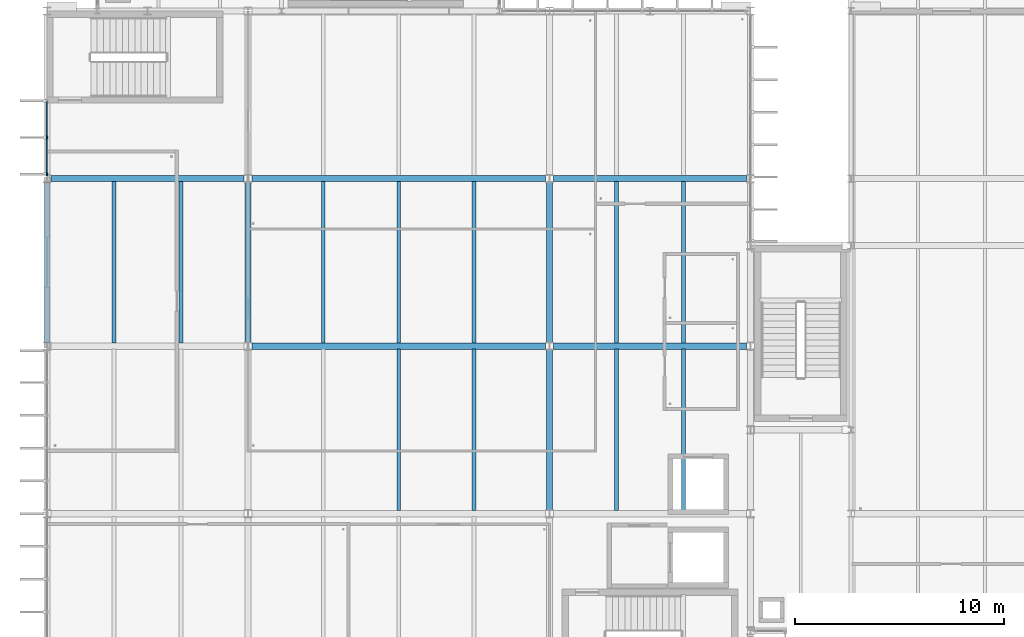
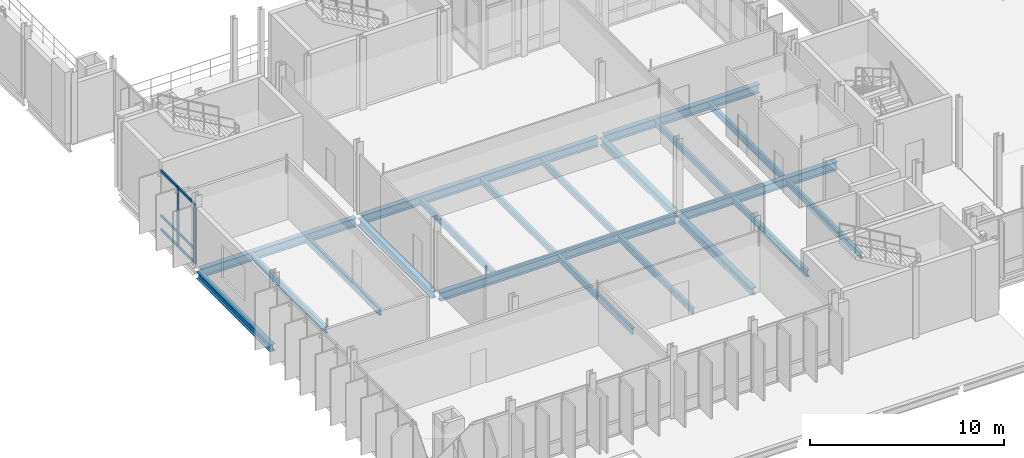
# One storey, part 18 of 107: 20 beams, 8 members, 1 element without a shape of its own.
"""IFC4 building model written with IfcOpenShell, lengths in metres."""

from ifc_helpers import new_model, si_unit, direction, frame, origin, origin_2d, place, context, subcontext, project, spatial, rectangle, i_section, extrude, material, material_profile, profile_set, type_object, element, aggregate, save


model = new_model("IFC4")

# Units and contexts
model_context = context("Model", 3, precision=1e-05, world=origin(), true_north=direction((0.0, 1.0)))
body_context = subcontext(model_context, "Body", "Model", "MODEL_VIEW")
ifc_project = project(units=[si_unit("LENGTHUNIT", "METRE"), si_unit("AREAUNIT", "SQUARE_METRE"), si_unit("VOLUMEUNIT", "CUBIC_METRE"), si_unit("PLANEANGLEUNIT", "RADIAN"), si_unit("MASSUNIT", "GRAM", prefix="KILO")], contexts=[model_context])

# Site, building, storey
site_placement = place(None, origin())
site = spatial("IfcSite", under=ifc_project, at=site_placement, CompositionType="ELEMENT")
building_placement = place(site_placement, origin())
building = spatial("IfcBuilding", under=site, at=building_placement, Name="Dunescarp Central Library", CompositionType="ELEMENT")
storey_placement = place(building_placement, frame((0.0, 0.0, 5.10009765625)))
storey = spatial("IfcBuildingStorey", under=building, at=storey_placement, Name="L01", CompositionType="ELEMENT", Elevation=5.10009765625)

# Curtain wall, members
ifc_material_1 = material(Name="Marine-grade anodised aluminium 6063-T6", Category="aluminium")
curtain_wall_type = type_object("IfcCurtainWallType", Name="ARC-CW-STICK", PredefinedType="NOTDEFINED", material=ifc_material_1)
curtain_wall_placement = place(storey_placement, origin())
curtain_wall = element("IfcCurtainWall", 1, at=curtain_wall_placement, inside=storey, type_object=curtain_wall_type, Name="L01 curtain wall CW-V1-010", PredefinedType="NOTDEFINED")
ifc_material_profile_1 = material_profile(ifc_material_1, rectangle(XDim=0.080078125, YDim=0.179931640625, at=origin_2d()), Name="AL 80x180")
ifc_profile_set_1 = profile_set([ifc_material_profile_1], Name="Marine-grade anodised aluminium 6063-T6")
member_type_1 = type_object("IfcMemberType", Name="ARC-CWM-180", PredefinedType="MULLION", material=ifc_profile_set_1)
member_1_placement = place(storey_placement, frame((0.0, 29.014892578125, 0.0), z_axis=(0.0, 0.0, 1.0), x_axis=(-1.0, 0.0, 0.0)))
member_1 = element("IfcMember", 2, at=member_1_placement, type_object=member_type_1, Name="CW-V1-010 mullion 1", PredefinedType="MULLION", context=body_context, shape_type="SweptSolid", body=[
    extrude(rectangle(XDim=0.080078125, YDim=0.179931640625, at=origin_2d()), origin(), (0.0, 0.0, 1.0), 3.764892578125),
])
member_2_placement = place(storey_placement, frame((0.0, 30.762451171875, 0.0), z_axis=(0.0, 0.0, 1.0), x_axis=(-1.0, 0.0, 0.0)))
member_2 = element("IfcMember", 3, at=member_2_placement, type_object=member_type_1, Name="CW-V1-010 mullion 2", PredefinedType="MULLION", context=body_context, shape_type="SweptSolid", body=[
    extrude(rectangle(XDim=0.080078125, YDim=0.179931640625, at=origin_2d()), origin(), (0.0, 0.0, 1.0), 3.764892578125),
])
ifc_material_profile_2 = material_profile(ifc_material_1, rectangle(XDim=0.080078125, YDim=0.14990234375, at=origin_2d()), Name="AL 80x150")
ifc_profile_set_2 = profile_set([ifc_material_profile_2], Name="Marine-grade anodised aluminium 6063-T6")
member_type_2 = type_object("IfcMemberType", Name="ARC-CWT-150", PredefinedType="USERDEFINED", material=ifc_profile_set_2)
member_3_placement = place(storey_placement, frame((0.0, 29.054931640625, 0.039794921875), z_axis=(0.0, 1.0, 0.0), x_axis=(-1.0, 0.0, 0.0)))
member_3 = element("IfcMember", 4, at=member_3_placement, type_object=member_type_2, Name="CW-V1-010 transom 1.1", ObjectType="TRANSOM", PredefinedType="USERDEFINED", context=body_context, shape_type="SweptSolid", body=[
    extrude(rectangle(XDim=0.080078125, YDim=0.14990234375, at=origin_2d()), origin(), (0.0, 0.0, 1.0), 1.66748046875),
])
member_4_placement = place(storey_placement, frame((0.0, 29.054931640625, 0.89990234375), z_axis=(0.0, 1.0, 0.0), x_axis=(-1.0, 0.0, 0.0)))
member_4 = element("IfcMember", 5, at=member_4_placement, type_object=member_type_2, Name="CW-V1-010 transom 1.2", ObjectType="TRANSOM", PredefinedType="USERDEFINED", context=body_context, shape_type="SweptSolid", body=[
    extrude(rectangle(XDim=0.080078125, YDim=0.14990234375, at=origin_2d()), origin(), (0.0, 0.0, 1.0), 1.66748046875),
])
member_5_placement = place(storey_placement, frame((0.0, 29.054931640625, 3.724853515625), z_axis=(0.0, 1.0, 0.0), x_axis=(-1.0, 0.0, 0.0)))
member_5 = element("IfcMember", 6, at=member_5_placement, type_object=member_type_2, Name="CW-V1-010 transom 1.3", ObjectType="TRANSOM", PredefinedType="USERDEFINED", context=body_context, shape_type="SweptSolid", body=[
    extrude(rectangle(XDim=0.080078125, YDim=0.14990234375, at=origin_2d()), origin(), (0.0, 0.0, 1.0), 1.66748046875),
])
member_6_placement = place(storey_placement, frame((0.0, 30.802490234375, 0.039794921875), z_axis=(0.0, 1.0, 0.0), x_axis=(-1.0, 0.0, 0.0)))
member_6 = element("IfcMember", 7, at=member_6_placement, type_object=member_type_2, Name="CW-V1-010 transom 2.1", ObjectType="TRANSOM", PredefinedType="USERDEFINED", context=body_context, shape_type="SweptSolid", body=[
    extrude(rectangle(XDim=0.080078125, YDim=0.14990234375, at=origin_2d()), origin(), (0.0, 0.0, 1.0), 1.66748046875),
])
member_7_placement = place(storey_placement, frame((0.0, 30.802490234375, 0.89990234375), z_axis=(0.0, 1.0, 0.0), x_axis=(-1.0, 0.0, 0.0)))
member_7 = element("IfcMember", 8, at=member_7_placement, type_object=member_type_2, Name="CW-V1-010 transom 2.2", ObjectType="TRANSOM", PredefinedType="USERDEFINED", context=body_context, shape_type="SweptSolid", body=[
    extrude(rectangle(XDim=0.080078125, YDim=0.14990234375, at=origin_2d()), origin(), (0.0, 0.0, 1.0), 1.66748046875),
])
member_8_placement = place(storey_placement, frame((0.0, 30.802490234375, 3.724853515625), z_axis=(0.0, 1.0, 0.0), x_axis=(-1.0, 0.0, 0.0)))
member_8 = element("IfcMember", 9, at=member_8_placement, type_object=member_type_2, Name="CW-V1-010 transom 2.3", ObjectType="TRANSOM", PredefinedType="USERDEFINED", context=body_context, shape_type="SweptSolid", body=[
    extrude(rectangle(XDim=0.080078125, YDim=0.14990234375, at=origin_2d()), origin(), (0.0, 0.0, 1.0), 1.66748046875),
])
aggregate(curtain_wall, [member_1, member_2, member_3, member_4, member_5, member_6, member_7, member_8])

# Beams
ifc_material_2 = material(Name="Steel S355JR", Category="steel")
ifc_material_profile_3 = material_profile(ifc_material_2, i_section(OverallWidth=0.300048828125, OverallDepth=0.449951171875, WebThickness=0.013916015625, FlangeThickness=0.02587890625, at=origin_2d()), Name="HEB 450")
ifc_profile_set_3 = profile_set([ifc_material_profile_3], Name="Steel S355JR")
beam_type_1 = type_object("IfcBeamType", Name="STR-BM-HEB450", PredefinedType="BEAM", material=ifc_profile_set_3)
for number, where, z_axis, x_axis, name in (
    (10, (0.0, 20.98388671875, -0.445068359375), (0.0, 1.0, 0.0), (-1.0, 0.0, 0.0), "L01 girder BM-L01-0013"),
    (11, (9.60009765625, 20.98388671875, -0.445068359375), (0.0, 1.0, 0.0), (-1.0, 0.0, 0.0), "L01 girder BM-L01-0014"),
    (12, (24.0, 12.98388671875, -0.445068359375), (0.0, 1.0, 0.0), (-1.0, 0.0, 0.0), "L01 girder BM-L01-0027"),
    (13, (24.0, 20.98388671875, -0.445068359375), (0.0, 1.0, 0.0), (-1.0, 0.0, 0.0), "L01 girder BM-L01-0032"),
):
    element("IfcBeam", number, at=place(storey_placement, frame(where, z_axis=z_axis, x_axis=x_axis)), inside=storey, type_object=beam_type_1, Name=name, PredefinedType="BEAM", context=body_context, shape_type="SweptSolid", body=[
        extrude(i_section(OverallWidth=0.300048828125, OverallDepth=0.449951171875, WebThickness=0.013916015625, FlangeThickness=0.02587890625, at=origin_2d()), origin(), (0.0, 0.0, 1.0), 7.632080078125),
    ])
ifc_material_profile_4 = material_profile(ifc_material_2, i_section(OverallWidth=0.300048828125, OverallDepth=0.550048828125, WebThickness=0.014892578125, FlangeThickness=0.029052734375, at=origin_2d()), Name="HEB 550")
ifc_profile_set_4 = profile_set([ifc_material_profile_4], Name="Steel S355JR")
beam_type_2 = type_object("IfcBeamType", Name="STR-BM-HEB550", PredefinedType="BEAM", material=ifc_profile_set_4)
beam_placement = place(storey_placement, frame((0.18408203125, 28.800048828125, -0.4951171875), z_axis=(1.0, 0.0, 0.0), x_axis=(0.0, 1.0, 0.0)))
element("IfcBeam", 14, at=beam_placement, inside=storey, type_object=beam_type_2, Name="L01 girder BM-L01-0012", PredefinedType="BEAM", context=body_context, shape_type="SweptSolid", body=[
    extrude(i_section(OverallWidth=0.300048828125, OverallDepth=0.550048828125, WebThickness=0.014892578125, FlangeThickness=0.029052734375, at=origin_2d()), origin(), (0.0, 0.0, 1.0), 9.23193359375),
])
for number, where, z_axis, x_axis, name in (
    (15, (9.783935546875, 20.800048828125, -0.4951171875), (1.0, 0.0, 0.0), (0.0, 1.0, 0.0), "L01 girder BM-L01-0026"),
    (16, (9.783935546875, 28.800048828125, -0.4951171875), (1.0, 0.0, 0.0), (0.0, 1.0, 0.0), "L01 girder BM-L01-0031"),
):
    element("IfcBeam", number, at=place(storey_placement, frame(where, z_axis=z_axis, x_axis=x_axis)), inside=storey, type_object=beam_type_2, Name=name, PredefinedType="BEAM", context=body_context, shape_type="SweptSolid", body=[
        extrude(i_section(OverallWidth=0.300048828125, OverallDepth=0.550048828125, WebThickness=0.014892578125, FlangeThickness=0.029052734375, at=origin_2d()), origin(), (0.0, 0.0, 1.0), 14.031982421875),
    ])
for number, where, z_axis, x_axis, name in (
    (17, (24.18408203125, 20.800048828125, -0.4951171875), (1.0, 0.0, 0.0), (0.0, 1.0, 0.0), "L01 girder BM-L01-0044"),
    (18, (24.18408203125, 28.800048828125, -0.4951171875), (1.0, 0.0, 0.0), (0.0, 1.0, 0.0), "L01 girder BM-L01-0048"),
):
    element("IfcBeam", number, at=place(storey_placement, frame(where, z_axis=z_axis, x_axis=x_axis)), inside=storey, type_object=beam_type_2, Name=name, PredefinedType="BEAM", context=body_context, shape_type="SweptSolid", body=[
        extrude(i_section(OverallWidth=0.300048828125, OverallDepth=0.550048828125, WebThickness=0.014892578125, FlangeThickness=0.029052734375, at=origin_2d()), origin(), (0.0, 0.0, 1.0), 9.23193359375),
    ])
ifc_material_profile_5 = material_profile(ifc_material_2, i_section(OverallWidth=0.179931640625, OverallDepth=0.39990234375, WebThickness=0.008544921875, FlangeThickness=0.013427734375, at=origin_2d()), Name="IPE 400")
ifc_profile_set_5 = profile_set([ifc_material_profile_5], Name="Steel S355JR")
beam_type_3 = type_object("IfcBeamType", Name="STR-JS-IPE400", PredefinedType="JOIST", material=ifc_profile_set_5)
for number, where, z_axis, x_axis, name in (
    (19, (3.199951171875, 20.947998046875, -0.420166015625), (0.0, 1.0, 0.0), (-1.0, 0.0, 0.0), "L01 joist JS-L01-0015"),
    (20, (6.39990234375, 20.947998046875, -0.420166015625), (0.0, 1.0, 0.0), (-1.0, 0.0, 0.0), "L01 joist JS-L01-0016"),
    (21, (16.800048828125, 12.947998046875, -0.420166015625), (0.0, 1.0, 0.0), (-1.0, 0.0, 0.0), "L01 joist JS-L01-0029"),
    (22, (20.39990234375, 12.947998046875, -0.420166015625), (0.0, 1.0, 0.0), (-1.0, 0.0, 0.0), "L01 joist JS-L01-0030"),
    (23, (13.199951171875, 20.947998046875, -0.420166015625), (0.0, 1.0, 0.0), (-1.0, 0.0, 0.0), "L01 joist JS-L01-0033"),
    (24, (16.800048828125, 20.947998046875, -0.420166015625), (0.0, 1.0, 0.0), (-1.0, 0.0, 0.0), "L01 joist JS-L01-0034"),
    (25, (20.39990234375, 20.947998046875, -0.420166015625), (0.0, 1.0, 0.0), (-1.0, 0.0, 0.0), "L01 joist JS-L01-0035"),
    (26, (27.199951171875, 12.947998046875, -0.420166015625), (0.0, 1.0, 0.0), (-1.0, 0.0, 0.0), "L01 joist JS-L01-0046"),
    (27, (30.39990234375, 12.947998046875, -0.420166015625), (0.0, 1.0, 0.0), (-1.0, 0.0, 0.0), "L01 joist JS-L01-0047"),
    (28, (27.199951171875, 20.947998046875, -0.420166015625), (0.0, 1.0, 0.0), (-1.0, 0.0, 0.0), "L01 joist JS-L01-0050"),
    (29, (30.39990234375, 20.947998046875, -0.420166015625), (0.0, 1.0, 0.0), (-1.0, 0.0, 0.0), "L01 joist JS-L01-0051"),
):
    element("IfcBeam", number, at=place(storey_placement, frame(where, z_axis=z_axis, x_axis=x_axis)), inside=storey, type_object=beam_type_3, Name=name, PredefinedType="JOIST", context=body_context, shape_type="SweptSolid", body=[
        extrude(i_section(OverallWidth=0.179931640625, OverallDepth=0.39990234375, WebThickness=0.008544921875, FlangeThickness=0.013427734375, at=origin_2d()), origin(), (0.0, 0.0, 1.0), 7.7041015625),
    ])

save(model, "model.ifc")
